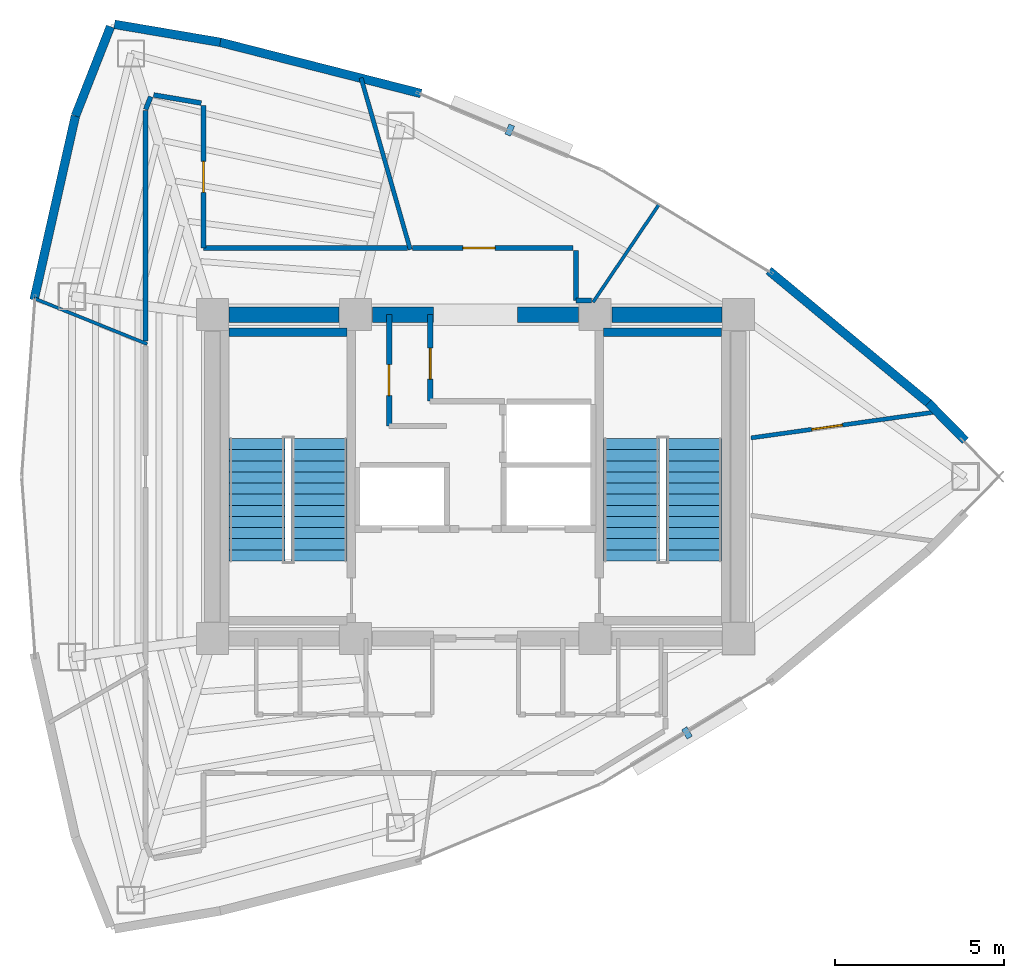
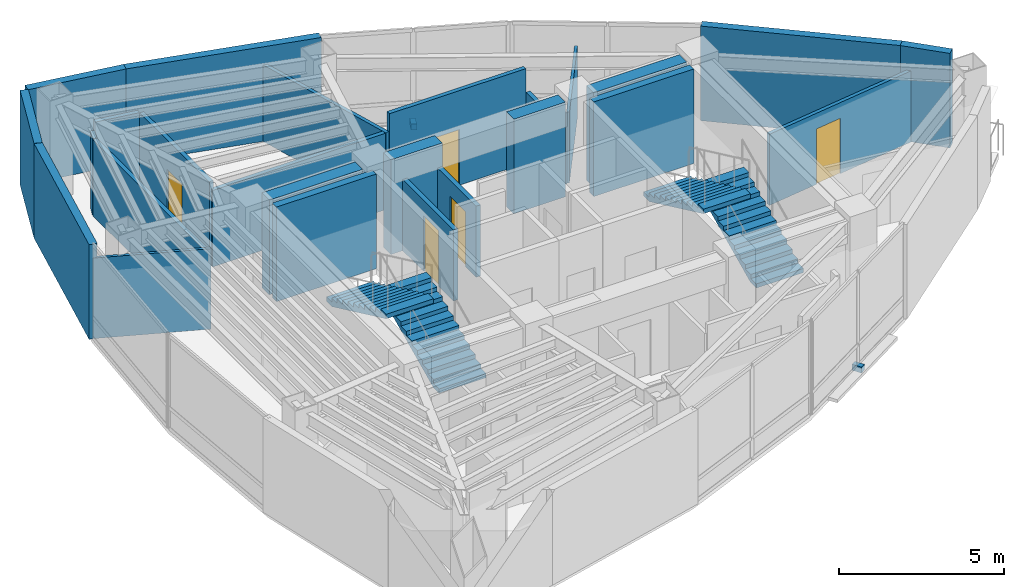
# One storey, part 13 of 15: 26 walls, 5 doors, 4 stair flights, 2 discrete accessories, 5 openings, 2 elements without a shape of their own.
"""IFC4 building model written with IfcOpenShell, lengths in metres."""

from ifc_helpers import new_model, si_unit, direction, frame, frame_2d, origin, origin_2d, place, context, subcontext, project, spatial, polyline, rectangle, outline, extrude, material, layer, layer_set, type_object, element, fill, aggregate, save


model = new_model("IFC4")

# Units and contexts
model_context = context("Model", 3, precision=1e-05, world=origin(), true_north=direction((0.0, 1.0)))
body_context = subcontext(model_context, "Body", "Model", "MODEL_VIEW")
ifc_project = project(units=[si_unit("LENGTHUNIT", "METRE"), si_unit("AREAUNIT", "SQUARE_METRE"), si_unit("VOLUMEUNIT", "CUBIC_METRE"), si_unit("PLANEANGLEUNIT", "RADIAN"), si_unit("MASSUNIT", "GRAM", prefix="KILO")], contexts=[model_context])

# Site, building, storey
site_placement = place(None, origin())
site = spatial("IfcSite", under=ifc_project, at=site_placement, CompositionType="ELEMENT")
building_placement = place(site_placement, origin())
building = spatial("IfcBuilding", under=site, at=building_placement, Name="Menara Vayukalpa", CompositionType="ELEMENT")
storey_placement = place(building_placement, frame((0.0, 0.0, 284.340087890625)))
storey = spatial("IfcBuildingStorey", under=building, at=storey_placement, Name="L72", CompositionType="ELEMENT", Elevation=284.340087890625)

# Walls
ifc_material_1 = material(Name="Concrete C50/60", Category="concrete")
ifc_layer_1 = layer(ifc_material_1, 0.449951171875)
ifc_layer_set_1 = layer_set([ifc_layer_1], Name="Concrete C50/60")
wall_type_1 = type_object("IfcWallType", Name="WAL-CW450", PredefinedType="SHEAR", material=ifc_layer_set_1)
wall_1_placement = place(storey_placement, frame((18.294921875, 26.800048828125, 0.0), z_axis=(0.0, 0.0, 1.0), x_axis=(1.0, 0.0, 0.0)))
element("IfcWall", 1, at=wall_1_placement, inside=storey, type_object=wall_type_1, Name="L72 Buttressed Core Shear Wall CWN1", PredefinedType="SHEAR", context=body_context, shape_type="SweptSolid", body=[
    extrude(rectangle(XDim=3.260009765625, YDim=0.449951171875, at=frame_2d((1.6298828125, 0.0))), origin(), (0.0, 0.0, 1.0), 3.5),
])
wall_2_placement = place(storey_placement, frame((22.544921875, 26.800048828125, 0.0), z_axis=(0.0, 0.0, 1.0), x_axis=(1.0, 0.0, 0.0)))
element("IfcWall", 2, at=wall_2_placement, inside=storey, type_object=wall_type_1, Name="L72 Buttressed Core Shear Wall CWN2", PredefinedType="SHEAR", context=body_context, shape_type="SweptSolid", body=[
    extrude(rectangle(XDim=1.80517578125, YDim=0.449951171875, at=frame_2d((0.902587890625, 0.0))), origin(), (0.0, 0.0, 1.0), 3.5),
])
wall_3_placement = place(storey_placement, frame((26.85009765625, 26.800048828125, 0.0), z_axis=(0.0, 0.0, 1.0), x_axis=(1.0, 0.0, 0.0)))
element("IfcWall", 3, at=wall_3_placement, inside=storey, type_object=wall_type_1, Name="L72 Buttressed Core Shear Wall CWN3", PredefinedType="SHEAR", context=body_context, shape_type="SweptSolid", body=[
    extrude(rectangle(XDim=1.804931640625, YDim=0.449951171875, at=frame_2d((0.90234375, 0.0))), origin(), (0.0, 0.0, 1.0), 3.5),
])
wall_4_placement = place(storey_placement, frame((29.64501953125, 26.800048828125, 0.0), z_axis=(0.0, 0.0, 1.0), x_axis=(1.0, 0.0, 0.0)))
element("IfcWall", 4, at=wall_4_placement, inside=storey, type_object=wall_type_1, Name="L72 Buttressed Core Shear Wall CWN4", PredefinedType="SHEAR", context=body_context, shape_type="SweptSolid", body=[
    extrude(rectangle(XDim=3.260009765625, YDim=0.449951171875, at=frame_2d((1.6298828125, 0.0))), origin(), (0.0, 0.0, 1.0), 3.5),
])
ifc_material_2 = material(Name="Insulated Precast Concrete C40/50", Category="concrete")
ifc_layer_2 = layer(ifc_material_2, 0.260009765625)
ifc_layer_set_2 = layer_set([ifc_layer_2], Name="Insulated Precast Concrete C40/50")
wall_type_2 = type_object("IfcWallType", Name="WAL-EXT260", PredefinedType="PARTITIONING", material=ifc_layer_set_2)
wall_5_placement = place(storey_placement, frame((39.023681640625, 24.188232421875, 0.0), z_axis=(0.0, 0.0, 1.0), x_axis=(0.700470648387, -0.71368121087, 0.0)))
element("IfcWall", 5, at=wall_5_placement, inside=storey, type_object=wall_type_2, Name="L72 Perimeter Terracotta Pier Wall 02", PredefinedType="PARTITIONING", context=body_context, shape_type="SweptSolid", body=[
    extrude(rectangle(XDim=1.57080078125, YDim=0.260009765625, at=frame_2d((0.785400390625, 0.0))), origin(), (0.0, 0.0, 1.0), 3.5),
])
wall_6_placement = place(storey_placement, frame((34.295166015625, 28.1083984375, 0.0), z_axis=(0.0, 0.0, 1.0), x_axis=(0.769779830138, -0.638309496337, 0.0)))
element("IfcWall", 6, at=wall_6_placement, inside=storey, type_object=wall_type_2, Name="L72 Perimeter Terracotta Pier Wall 03", PredefinedType="PARTITIONING", context=body_context, shape_type="SweptSolid", body=[
    extrude(rectangle(XDim=6.154052734375, YDim=0.260009765625, at=frame_2d((3.0771484375, 0.0))), origin(), (0.0, 0.0, 1.0), 3.5),
])
wall_7_placement = place(storey_placement, frame((18.0244140625, 34.878662109375, 0.0), z_axis=(0.0, 0.0, 1.0), x_axis=(0.968988278672, -0.247106689096, 0.0)))
element("IfcWall", 7, at=wall_7_placement, inside=storey, type_object=wall_type_2, Name="L72 Perimeter Terracotta Pier Wall 06", PredefinedType="PARTITIONING", context=body_context, shape_type="SweptSolid", body=[
    extrude(rectangle(XDim=6.154296875, YDim=0.260009765625, at=frame_2d((3.0771484375, 0.0))), origin(), (0.0, 0.0, 1.0), 3.5),
])
wall_8_placement = place(storey_placement, frame((14.900146484375, 35.40869140625, 0.0), z_axis=(0.0, 0.0, 1.0), x_axis=(0.985889432766, -0.167397808709, 0.0)))
element("IfcWall", 8, at=wall_8_placement, inside=storey, type_object=wall_type_2, Name="L72 Perimeter Terracotta Pier Wall 07", PredefinedType="PARTITIONING", context=body_context, shape_type="SweptSolid", body=[
    extrude(rectangle(XDim=3.180908203125, YDim=0.260009765625, at=frame_2d((1.59033203125, 0.0))), origin(), (0.0, 0.0, 1.0), 3.5),
])
wall_9_placement = place(storey_placement, frame((13.741943359375, 32.693359375, 0.0), z_axis=(0.0, 0.0, 1.0), x_axis=(0.36559927932, 0.930772349697, 0.0)))
element("IfcWall", 9, at=wall_9_placement, inside=storey, type_object=wall_type_2, Name="L72 Perimeter Terracotta Pier Wall 08", PredefinedType="PARTITIONING", context=body_context, shape_type="SweptSolid", body=[
    extrude(rectangle(XDim=2.845458984375, YDim=0.260009765625, at=frame_2d((1.4228515625, 0.0))), origin(), (0.0, 0.0, 1.0), 3.5),
])
wall_10_placement = place(storey_placement, frame((12.514892578125, 27.239501953125, 0.0), z_axis=(0.0, 0.0, 1.0), x_axis=(0.219500763731, 0.97561232809, 0.0)))
element("IfcWall", 10, at=wall_10_placement, inside=storey, type_object=wall_type_2, Name="L72 Perimeter Terracotta Pier Wall 09", PredefinedType="PARTITIONING", context=body_context, shape_type="SweptSolid", body=[
    extrude(rectangle(XDim=5.590087890625, YDim=0.260009765625, at=frame_2d((2.794921875, 0.0))), origin(), (0.0, 0.0, 1.0), 3.5),
])

# Wall, opening, door
ifc_material_3 = material(Name="Lightweight Concrete Blockwork C16/20", Category="masonry")
ifc_layer_3 = layer(ifc_material_3, 0.159912109375)
ifc_layer_set_3 = layer_set([ifc_layer_3], Name="Lightweight Concrete Blockwork C16/20")
wall_type_3 = type_object("IfcWallType", Name="WAL-FR150", PredefinedType="PARTITIONING", material=ifc_layer_set_3)
wall_11_placement = place(storey_placement, frame((23.0400390625, 23.5, 0.0), z_axis=(0.0, 0.0, 1.0), x_axis=(0.0, 1.0, 0.0)))
wall_11 = element("IfcWall", 11, at=wall_11_placement, inside=storey, type_object=wall_type_3, Name="L72 Interior Partition IW-L72-LV7WB", PredefinedType="PARTITIONING", context=body_context, shape_type="SweptSolid", body=[
    extrude(rectangle(XDim=3.300048828125, YDim=0.159912109375, at=frame_2d((1.64990234375, 0.0))), origin(), (0.0, 0.0, 1.0), 2.6298828125),
])
opening_1_placement = place(wall_11_placement, frame((0.89990234375, 0.0, 0.0)))
opening_1 = element("IfcOpeningElement", 12, at=opening_1_placement, cuts=wall_11, Name="Opening ID6", PredefinedType="OPENING", context=body_context, shape_type="SweptSolid", body=[
    extrude(rectangle(XDim=0.919921875, YDim=2.050048828125, at=frame_2d((0.4599609375, 1.02490234375))), frame((0.0, 0.08984375, 0.0), z_axis=(0.0, -1.0, 0.0), x_axis=(1.0, 0.0, 0.0)), (0.0, 0.0, 1.0), 0.179931640625),
])
ifc_material_4 = material(Name="Acoustic Hardwood Veneer Timber Door", Category="wood")
door_type_1 = type_object("IfcDoorType", Name="DR-INT92", OperationType="NOTDEFINED", PredefinedType="DOOR", material=ifc_material_4)
door_1_placement = place(opening_1_placement, origin())
door_1 = element("IfcDoor", 13, at=door_1_placement, inside=storey, type_object=door_type_1, Name="L72 Interior Door DR-L72-LV7W", OperationType="SINGLE_SWING_RIGHT", OverallHeight=2.050048828125, OverallWidth=0.919921875, PredefinedType="DOOR", context=body_context, shape_type="SweptSolid", body=[
    extrude(rectangle(XDim=0.919921875, YDim=2.050048828125, at=frame_2d((0.4599609375, 1.02490234375))), frame((0.0, 0.02490234375, 0.0), z_axis=(0.0, -1.0, 0.0), x_axis=(1.0, 0.0, 0.0)), (0.0, 0.0, 1.0), 0.050048828125),
])
fill(opening_1, door_1)

wall_12_placement = place(storey_placement, frame((24.260009765625, 24.239990234375, 0.0), z_axis=(0.0, 0.0, 1.0), x_axis=(0.0, 1.0, 0.0)))
wall_12 = element("IfcWall", 14, at=wall_12_placement, inside=storey, type_object=wall_type_3, Name="L72 Interior Partition IW-L72-LV7EB", PredefinedType="PARTITIONING", context=body_context, shape_type="SweptSolid", body=[
    extrude(rectangle(XDim=2.56005859375, YDim=0.159912109375, at=frame_2d((1.280029296875, 0.0))), origin(), (0.0, 0.0, 1.0), 2.6298828125),
])
opening_2_placement = place(wall_12_placement, frame((0.64990234375, 0.0, 0.0)))
opening_2 = element("IfcOpeningElement", 15, at=opening_2_placement, cuts=wall_12, Name="Opening ID6", PredefinedType="OPENING", context=body_context, shape_type="SweptSolid", body=[
    extrude(rectangle(XDim=0.919921875, YDim=2.050048828125, at=frame_2d((0.4599609375, 1.02490234375))), frame((0.0, 0.08984375, 0.0), z_axis=(0.0, -1.0, 0.0), x_axis=(1.0, 0.0, 0.0)), (0.0, 0.0, 1.0), 0.179931640625),
])
door_2_placement = place(opening_2_placement, origin())
door_2 = element("IfcDoor", 16, at=door_2_placement, inside=storey, type_object=door_type_1, Name="L72 Interior Door DR-L72-LV7E", OperationType="SINGLE_SWING_LEFT", OverallHeight=2.050048828125, OverallWidth=0.919921875, PredefinedType="DOOR", context=body_context, shape_type="SweptSolid", body=[
    extrude(rectangle(XDim=0.919921875, YDim=2.050048828125, at=frame_2d((0.4599609375, 1.02490234375))), frame((0.0, 0.02490234375, 0.0), z_axis=(0.0, -1.0, 0.0), x_axis=(1.0, 0.0, 0.0)), (0.0, 0.0, 1.0), 0.050048828125),
])
fill(opening_2, door_2)

# Walls
ifc_material_5 = material(Name="Glazed Demountable Office Partition", Category="glass")
ifc_layer_4 = layer(ifc_material_5, 0.094970703125)
ifc_layer_set_4 = layer_set([ifc_layer_4], Name="Glazed Demountable Office Partition")
wall_type_4 = type_object("IfcWallType", Name="WAL-PT100", PredefinedType="PARTITIONING", material=ifc_layer_set_4)
wall_13_placement = place(storey_placement, frame((29.087158203125, 27.169921875, 0.0), z_axis=(0.0, 0.0, 1.0), x_axis=(0.559194012427, 0.829036824554, 0.0)))
element("IfcWall", 17, at=wall_13_placement, inside=storey, type_object=wall_type_4, Name="L72 Interior Partition IW-L72-RDIV02", PredefinedType="PARTITIONING", context=body_context, shape_type="SweptSolid", body=[
    extrude(rectangle(XDim=3.504150390625, YDim=0.094970703125, at=frame_2d((1.751953125, 0.0))), origin(), (0.0, 0.0, 1.0), 2.6298828125),
])
wall_14_placement = place(storey_placement, frame((15.8701171875, 25.93115234375, 0.0), z_axis=(0.0, 0.0, 1.0), x_axis=(-0.92718807063, 0.374596158123, 0.0)))
element("IfcWall", 18, at=wall_14_placement, inside=storey, type_object=wall_type_4, Name="L72 Interior Partition IW-L72-RDIV04", PredefinedType="PARTITIONING", context=body_context, shape_type="SweptSolid", body=[
    extrude(rectangle(XDim=3.608642578125, YDim=0.094970703125, at=frame_2d((1.80419921875, 0.0))), origin(), (0.0, 0.0, 1.0), 2.97998046875),
])

# Wall, opening, door
ifc_material_6 = material(Name="Gypsum Drywall Steel Stud Assembly", Category="steel")
ifc_layer_5 = layer(ifc_material_6, 0.125)
ifc_layer_set_5 = layer_set([ifc_layer_5], Name="Gypsum Drywall Steel Stud Assembly")
wall_type_5 = type_object("IfcWallType", Name="WAL-PT125", PredefinedType="PARTITIONING", material=ifc_layer_set_5)
wall_15_placement = place(storey_placement, frame((33.77001953125, 23.148193359375, 0.0), z_axis=(0.0, 0.0, 1.0), x_axis=(0.990268923666, 0.139167017724, 0.0)))
wall_15 = element("IfcWall", 19, at=wall_15_placement, inside=storey, type_object=wall_type_5, Name="L72 Interior Partition IW-L72-RDIV01", PredefinedType="PARTITIONING", context=body_context, shape_type="SweptSolid", body=[
    extrude(rectangle(XDim=5.580322265625, YDim=0.125, at=frame_2d((2.7900390625, 0.0))), origin(), (0.0, 0.0, 1.0), 2.6298828125),
])
opening_3_placement = place(wall_15_placement, frame((1.817626953125, 0.0, 0.0)))
opening_3 = element("IfcOpeningElement", 20, at=opening_3_placement, cuts=wall_15, Name="Opening ID6", PredefinedType="OPENING", context=body_context, shape_type="SweptSolid", body=[
    extrude(rectangle(XDim=0.919921875, YDim=2.050048828125, at=frame_2d((0.4599609375, 1.02490234375))), frame((0.0, 0.072509765625, 0.0), z_axis=(0.0, -1.0, 0.0), x_axis=(1.0, 0.0, 0.0)), (0.0, 0.0, 1.0), 0.14501953125),
])
door_3_placement = place(opening_3_placement, origin())
door_3 = element("IfcDoor", 21, at=door_3_placement, inside=storey, type_object=door_type_1, Name="L72 Interior Door DR-L72-STE06", OperationType="SINGLE_SWING_LEFT", OverallHeight=2.050048828125, OverallWidth=0.919921875, PredefinedType="DOOR", context=body_context, shape_type="SweptSolid", body=[
    extrude(rectangle(XDim=0.919921875, YDim=2.050048828125, at=frame_2d((0.4599609375, 1.02490234375))), frame((0.0, 0.02490234375, 0.0), z_axis=(0.0, -1.0, 0.0), x_axis=(1.0, 0.0, 0.0)), (0.0, 0.0, 1.0), 0.050048828125),
])
fill(opening_3, door_3)

# Walls
wall_16_placement = place(storey_placement, frame((23.670166015625, 28.72998046875, 0.0), z_axis=(0.0, 0.0, 1.0), x_axis=(-0.275646373744, 0.961259110044, 0.0)))
element("IfcWall", 22, at=wall_16_placement, inside=storey, type_object=wall_type_5, Name="L72 Interior Partition IW-L72-RDIV03", PredefinedType="PARTITIONING", context=body_context, shape_type="SweptSolid", body=[
    extrude(rectangle(XDim=5.29638671875, YDim=0.125, at=frame_2d((2.648193359375, 0.0))), origin(), (0.0, 0.0, 1.0), 2.829833984375),
])
ifc_material_7 = material(Name="Gypsum Drywall Acoustic Stud Assembly", Category="masonry")
ifc_layer_6 = layer(ifc_material_7, 0.14501953125)
ifc_layer_set_6 = layer_set([ifc_layer_6], Name="Gypsum Drywall Acoustic Stud Assembly")
wall_type_6 = type_object("IfcWallType", Name="WAL-PT150", PredefinedType="PARTITIONING", material=ifc_layer_set_6)
wall_17_placement = place(storey_placement, frame((29.03662109375, 27.219970703125, 0.0), z_axis=(0.0, 0.0, 1.0), x_axis=(-1.0, 0.0, 0.0)))
element("IfcWall", 23, at=wall_17_placement, inside=storey, type_object=wall_type_6, Name="L72 Interior Partition IW-L72-CRM07-1", PredefinedType="PARTITIONING", context=body_context, shape_type="SweptSolid", body=[
    extrude(rectangle(XDim=0.45654296875, YDim=0.14501953125, at=frame_2d((0.228271484375, 0.0))), origin(), (0.0, 0.0, 1.0), 2.6298828125),
])
wall_18_placement = place(storey_placement, frame((28.580078125, 27.219970703125, 0.0), z_axis=(0.0, 0.0, 1.0), x_axis=(0.0, 1.0, 0.0)))
element("IfcWall", 24, at=wall_18_placement, inside=storey, type_object=wall_type_6, Name="L72 Interior Partition IW-L72-CRM07-2", PredefinedType="PARTITIONING", context=body_context, shape_type="SweptSolid", body=[
    extrude(rectangle(XDim=1.47998046875, YDim=0.14501953125, at=frame_2d((0.739990234375, 0.0))), origin(), (0.0, 0.0, 1.0), 2.6298828125),
])

# Wall, opening, door
wall_19_placement = place(storey_placement, frame((28.5, 28.780029296875, 0.0), z_axis=(0.0, 0.0, 1.0), x_axis=(-1.0, 0.0, 0.0)))
wall_19 = element("IfcWall", 25, at=wall_19_placement, inside=storey, type_object=wall_type_6, Name="L72 Interior Partition IW-L72-CRM07-3", PredefinedType="PARTITIONING", context=body_context, shape_type="SweptSolid", body=[
    extrude(rectangle(XDim=4.771240234375, YDim=0.14501953125, at=frame_2d((2.3857421875, 0.0))), origin(), (0.0, 0.0, 1.0), 3.5),
])
opening_4_placement = place(wall_19_placement, frame((2.318359375, 0.0, 0.0)))
opening_4 = element("IfcOpeningElement", 26, at=opening_4_placement, cuts=wall_19, Name="Opening ID5", PredefinedType="OPENING", context=body_context, shape_type="SweptSolid", body=[
    extrude(rectangle(XDim=0.949951171875, YDim=2.06005859375, at=frame_2d((0.47509765625, 1.030029296875))), frame((0.0, 0.08251953125, 0.0), z_axis=(0.0, -1.0, 0.0), x_axis=(1.0, 0.0, 0.0)), (0.0, 0.0, 1.0), 0.1650390625),
])
ifc_material_8 = material(Name="Acoustic Hardwood Veneer Timber Door", Category="wood")
door_type_2 = type_object("IfcDoorType", Name="DR-INT95", OperationType="NOTDEFINED", PredefinedType="DOOR", material=ifc_material_8)
door_4_placement = place(opening_4_placement, origin())
door_4 = element("IfcDoor", 27, at=door_4_placement, inside=storey, type_object=door_type_2, Name="L72 Interior Door DR-L72-RM07", OperationType="SINGLE_SWING_LEFT", OverallHeight=2.06005859375, OverallWidth=0.949951171875, PredefinedType="DOOR", context=body_context, shape_type="SweptSolid", body=[
    extrude(rectangle(XDim=0.949951171875, YDim=2.06005859375, at=frame_2d((0.47509765625, 1.030029296875))), frame((0.0, 0.02490234375, 0.0), z_axis=(0.0, -1.0, 0.0), x_axis=(1.0, 0.0, 0.0)), (0.0, 0.0, 1.0), 0.050048828125),
])
fill(opening_4, door_4)

# Wall
wall_20_placement = place(storey_placement, frame((23.5830078125, 28.780029296875, 0.0), z_axis=(0.0, 0.0, 1.0), x_axis=(-1.0, 0.0, 0.0)))
element("IfcWall", 28, at=wall_20_placement, inside=storey, type_object=wall_type_6, Name="L72 Interior Partition IW-L72-CRM08-1", PredefinedType="PARTITIONING", context=body_context, shape_type="SweptSolid", body=[
    extrude(rectangle(XDim=6.04296875, YDim=0.14501953125, at=frame_2d((3.021484375, 0.0))), origin(), (0.0, 0.0, 1.0), 2.829833984375),
])

# Wall, opening, door
wall_21_placement = place(storey_placement, frame((17.5400390625, 28.780029296875, 0.0), z_axis=(0.0, 0.0, 1.0), x_axis=(0.0, 1.0, 0.0)))
wall_21 = element("IfcWall", 29, at=wall_21_placement, inside=storey, type_object=wall_type_6, Name="L72 Interior Partition IW-L72-CRM08-2", PredefinedType="PARTITIONING", context=body_context, shape_type="SweptSolid", body=[
    extrude(rectangle(XDim=4.216064453125, YDim=0.14501953125, at=frame_2d((2.10791015625, 0.0))), origin(), (0.0, 0.0, 1.0), 3.1298828125),
])
opening_5_placement = place(wall_21_placement, frame((1.64794921875, 0.0, 0.0)))
opening_5 = element("IfcOpeningElement", 30, at=opening_5_placement, cuts=wall_21, Name="Opening ID6", PredefinedType="OPENING", context=body_context, shape_type="SweptSolid", body=[
    extrude(rectangle(XDim=0.919921875, YDim=2.050048828125, at=frame_2d((0.4599609375, 1.02490234375))), frame((0.0, 0.08251953125, 0.0), z_axis=(0.0, -1.0, 0.0), x_axis=(1.0, 0.0, 0.0)), (0.0, 0.0, 1.0), 0.1650390625),
])
door_5_placement = place(opening_5_placement, origin())
door_5 = element("IfcDoor", 31, at=door_5_placement, inside=storey, type_object=door_type_1, Name="L72 Interior Door DR-L72-RM08", OperationType="SINGLE_SWING_RIGHT", OverallHeight=2.050048828125, OverallWidth=0.919921875, PredefinedType="DOOR", context=body_context, shape_type="SweptSolid", body=[
    extrude(rectangle(XDim=0.919921875, YDim=2.050048828125, at=frame_2d((0.4599609375, 1.02490234375))), frame((0.0, 0.02490234375, 0.0), z_axis=(0.0, -1.0, 0.0), x_axis=(1.0, 0.0, 0.0)), (0.0, 0.0, 1.0), 0.050048828125),
])
fill(opening_5, door_5)

# Walls
wall_22_placement = place(storey_placement, frame((17.473388671875, 33.074951171875, 0.0), z_axis=(0.0, 0.0, 1.0), x_axis=(-0.985881780308, 0.167442871621, 0.0)))
element("IfcWall", 32, at=wall_22_placement, inside=storey, type_object=wall_type_6, Name="L72 Interior Partition IW-L72-CRM08-3", PredefinedType="PARTITIONING", context=body_context, shape_type="SweptSolid", body=[
    extrude(rectangle(XDim=1.430419921875, YDim=0.14501953125, at=frame_2d((0.71533203125, 0.0))), origin(), (0.0, 0.0, 1.0), 3.1298828125),
])
wall_23_placement = place(storey_placement, frame((15.975341796875, 33.2646484375, 0.0), z_axis=(0.0, 0.0, 1.0), x_axis=(-0.365633948196, -0.930758731319, 0.0)))
element("IfcWall", 33, at=wall_23_placement, inside=storey, type_object=wall_type_6, Name="L72 Interior Partition IW-L72-CRM08-4", PredefinedType="PARTITIONING", context=body_context, shape_type="SweptSolid", body=[
    extrude(rectangle(XDim=0.409912109375, YDim=0.14501953125, at=frame_2d((0.205078125, 0.0))), origin(), (0.0, 0.0, 1.0), 2.829833984375),
])
wall_24_placement = place(storey_placement, frame((15.820068359375, 32.853759765625, 0.0), z_axis=(0.0, 0.0, 1.0), x_axis=(0.0, -1.0, 0.0)))
element("IfcWall", 34, at=wall_24_placement, inside=storey, type_object=wall_type_6, Name="L72 Interior Partition IW-L72-CRM08-5", PredefinedType="PARTITIONING", context=body_context, shape_type="SweptSolid", body=[
    extrude(rectangle(XDim=6.826904296875, YDim=0.14501953125, at=frame_2d((3.41357421875, 0.0))), origin(), (0.0, 0.0, 1.0), 2.829833984375),
])
ifc_material_9 = material(Name="Concrete C50/60", Category="concrete")
ifc_layer_7 = layer(ifc_material_9, 0.25)
ifc_layer_set_7 = layer_set([ifc_layer_7], Name="Concrete C50/60")
wall_type_7 = type_object("IfcWallType", Name="WAL-SW250", PredefinedType="SHEAR", material=ifc_layer_set_7)
for number, where, z_axis, x_axis, name in (
    (35, (18.300048828125, 26.27490234375, 0.0), (0.0, 0.0, 1.0), (1.0, 0.0, 0.0), "L72 ST1 Structural Stair Shaft Wall N"),
    (36, (29.39990234375, 26.27490234375, 0.0), (0.0, 0.0, 1.0), (1.0, 0.0, 0.0), "L72 ST2 Structural Stair Shaft Wall N"),
):
    element("IfcWall", number, at=place(storey_placement, frame(where, z_axis=z_axis, x_axis=x_axis)), inside=storey, type_object=wall_type_7, Name=name, PredefinedType="SHEAR", context=body_context, shape_type="SweptSolid", body=[
        extrude(rectangle(XDim=3.5, YDim=0.25, at=frame_2d((1.75, 0.0))), origin(), (0.0, 0.0, 1.0), 3.5),
    ])

# Stair, stair flights
ifc_material_10 = material(Name="Precast Concrete C40/50", Category="concrete")
stair_type = type_object("IfcStairType", Name="STR-T04", PredefinedType="DOUBLE_RETURN_STAIR", material=ifc_material_10)
stair_1_placement = place(storey_placement, origin())
stair_1 = element("IfcStair", 37, at=stair_1_placement, inside=storey, type_object=stair_type, Name="L72 Core Exit Stair ST-1", PredefinedType="DOUBLE_RETURN_STAIR")
ifc_material_11 = material(Name="Precast Concrete C40/50", Category="concrete")
stair_flight_type = type_object("IfcStairFlightType", Name="STF-T04", PredefinedType="STRAIGHT", material=ifc_material_11)
stair_flight_1_placement = place(storey_placement, frame((20.97509765625, 19.5, 0.0), z_axis=(0.0, 0.0, 1.0), x_axis=(0.0, 1.0, 0.0)))
stair_flight_1 = element("IfcStairFlight", 38, at=stair_flight_1_placement, type_object=stair_flight_type, Name="ST-1 flight 1", NumberOfRisers=12, NumberOfTreads=11, PredefinedType="STRAIGHT", RiserHeight=0.155, TreadLength=0.33, context=body_context, shape_type="SweptSolid", body=[
    extrude(outline(polyline([(0.0, 0.0), (0.0, 0.155029296875), (0.330078125, 0.155029296875), (0.330078125, 0.31005859375), (0.659912109375, 0.31005859375), (0.659912109375, 0.465087890625), (0.989990234375, 0.465087890625), (0.989990234375, 0.6201171875), (1.320068359375, 0.6201171875), (1.320068359375, 0.77490234375), (1.64990234375, 0.77490234375), (1.64990234375, 0.929931640625), (1.97998046875, 0.929931640625), (1.97998046875, 1.0849609375), (2.31005859375, 1.0849609375), (2.31005859375, 1.239990234375), (2.639892578125, 1.239990234375), (2.639892578125, 1.39501953125), (2.969970703125, 1.39501953125), (2.969970703125, 1.550048828125), (3.300048828125, 1.550048828125), (3.300048828125, 1.705078125), (3.6298828125, 1.705078125), (3.6298828125, 1.860107421875), (3.6298828125, 1.539306640625), (0.3525390625, 0.0), (0.0, 0.0)])), frame((0.0, 0.824951171875, 0.0), z_axis=(0.0, -1.0, 0.0), x_axis=(1.0, 0.0, 0.0)), (0.0, 0.0, 1.0), 1.64990234375),
])
stair_flight_2_placement = place(storey_placement, frame((19.125, 23.1298828125, 1.85986328125), z_axis=(0.0, 0.0, 1.0), x_axis=(0.0, -1.0, 0.0)))
stair_flight_2 = element("IfcStairFlight", 39, at=stair_flight_2_placement, type_object=stair_flight_type, Name="ST-1 flight 2", NumberOfRisers=12, NumberOfTreads=11, PredefinedType="STRAIGHT", RiserHeight=0.155, TreadLength=0.33, context=body_context, shape_type="SweptSolid", body=[
    extrude(outline(polyline([(0.0, 0.0), (0.0, 0.155029296875), (0.330078125, 0.155029296875), (0.330078125, 0.31005859375), (0.659912109375, 0.31005859375), (0.659912109375, 0.465087890625), (0.989990234375, 0.465087890625), (0.989990234375, 0.6201171875), (1.320068359375, 0.6201171875), (1.320068359375, 0.77490234375), (1.64990234375, 0.77490234375), (1.64990234375, 0.929931640625), (1.97998046875, 0.929931640625), (1.97998046875, 1.0849609375), (2.31005859375, 1.0849609375), (2.31005859375, 1.239990234375), (2.639892578125, 1.239990234375), (2.639892578125, 1.39501953125), (2.969970703125, 1.39501953125), (2.969970703125, 1.550048828125), (3.300048828125, 1.550048828125), (3.300048828125, 1.705078125), (3.6298828125, 1.705078125), (3.6298828125, 1.860107421875), (3.6298828125, 1.539306640625), (0.3525390625, 0.0), (0.0, 0.0)])), frame((0.0, 0.824951171875, 0.0), z_axis=(0.0, -1.0, 0.0), x_axis=(1.0, 0.0, 0.0)), (0.0, 0.0, 1.0), 1.64990234375),
])
aggregate(stair_1, [stair_flight_1, stair_flight_2])

stair_2_placement = place(storey_placement, origin())
stair_2 = element("IfcStair", 40, at=stair_2_placement, inside=storey, type_object=stair_type, Name="L72 Core Exit Stair ST-2", PredefinedType="DOUBLE_RETURN_STAIR")
stair_flight_3_placement = place(storey_placement, frame((32.074951171875, 19.5, 0.0), z_axis=(0.0, 0.0, 1.0), x_axis=(0.0, 1.0, 0.0)))
stair_flight_3 = element("IfcStairFlight", 41, at=stair_flight_3_placement, type_object=stair_flight_type, Name="ST-2 flight 1", NumberOfRisers=12, NumberOfTreads=11, PredefinedType="STRAIGHT", RiserHeight=0.155, TreadLength=0.33, context=body_context, shape_type="SweptSolid", body=[
    extrude(outline(polyline([(0.0, 0.0), (0.0, 0.155029296875), (0.330078125, 0.155029296875), (0.330078125, 0.31005859375), (0.659912109375, 0.31005859375), (0.659912109375, 0.465087890625), (0.989990234375, 0.465087890625), (0.989990234375, 0.6201171875), (1.320068359375, 0.6201171875), (1.320068359375, 0.77490234375), (1.64990234375, 0.77490234375), (1.64990234375, 0.929931640625), (1.97998046875, 0.929931640625), (1.97998046875, 1.0849609375), (2.31005859375, 1.0849609375), (2.31005859375, 1.239990234375), (2.639892578125, 1.239990234375), (2.639892578125, 1.39501953125), (2.969970703125, 1.39501953125), (2.969970703125, 1.550048828125), (3.300048828125, 1.550048828125), (3.300048828125, 1.705078125), (3.6298828125, 1.705078125), (3.6298828125, 1.860107421875), (3.6298828125, 1.539306640625), (0.3525390625, 0.0), (0.0, 0.0)])), frame((0.0, 0.824951171875, 0.0), z_axis=(0.0, -1.0, 0.0), x_axis=(1.0, 0.0, 0.0)), (0.0, 0.0, 1.0), 1.64990234375),
])
stair_flight_4_placement = place(storey_placement, frame((30.22509765625, 23.1298828125, 1.85986328125), z_axis=(0.0, 0.0, 1.0), x_axis=(0.0, -1.0, 0.0)))
stair_flight_4 = element("IfcStairFlight", 42, at=stair_flight_4_placement, type_object=stair_flight_type, Name="ST-2 flight 2", NumberOfRisers=12, NumberOfTreads=11, PredefinedType="STRAIGHT", RiserHeight=0.155, TreadLength=0.33, context=body_context, shape_type="SweptSolid", body=[
    extrude(outline(polyline([(0.0, 0.0), (0.0, 0.155029296875), (0.330078125, 0.155029296875), (0.330078125, 0.31005859375), (0.659912109375, 0.31005859375), (0.659912109375, 0.465087890625), (0.989990234375, 0.465087890625), (0.989990234375, 0.6201171875), (1.320068359375, 0.6201171875), (1.320068359375, 0.77490234375), (1.64990234375, 0.77490234375), (1.64990234375, 0.929931640625), (1.97998046875, 0.929931640625), (1.97998046875, 1.0849609375), (2.31005859375, 1.0849609375), (2.31005859375, 1.239990234375), (2.639892578125, 1.239990234375), (2.639892578125, 1.39501953125), (2.969970703125, 1.39501953125), (2.969970703125, 1.550048828125), (3.300048828125, 1.550048828125), (3.300048828125, 1.705078125), (3.6298828125, 1.705078125), (3.6298828125, 1.860107421875), (3.6298828125, 1.539306640625), (0.3525390625, 0.0), (0.0, 0.0)])), frame((0.0, 0.824951171875, 0.0), z_axis=(0.0, -1.0, 0.0), x_axis=(1.0, 0.0, 0.0)), (0.0, 0.0, 1.0), 1.64990234375),
])
aggregate(stair_2, [stair_flight_3, stair_flight_4])

# Discrete accessories
ifc_material_12 = material(Name="Stainless Steel 316 Sunshade Bracket", Category="steel")
discrete_accessory_type = type_object("IfcDiscreteAccessoryType", Name="ACC-BRK1", PredefinedType="BRACKET", material=ifc_material_12)
for number, where, z_axis, x_axis, name in (
    (43, (26.61767578125, 32.272705078125, -0.16015625), (0.0, 0.0, 1.0), (-0.922538089456, 0.385906042324, 0.0), "L72 Terracotta Sunshade Bracket 05"),
    (44, (31.87109375, 14.402587890625, -0.16015625), (0.0, 0.0, 1.0), (0.85466730962, 0.519176068272, 0.0), "L72 Terracotta Sunshade Bracket 17"),
):
    element("IfcDiscreteAccessory", number, at=place(storey_placement, frame(where, z_axis=z_axis, x_axis=x_axis)), inside=storey, type_object=discrete_accessory_type, Name=name, PredefinedType="BRACKET", context=body_context, shape_type="SweptSolid", body=[
        extrude(rectangle(XDim=0.179931640625, YDim=0.320068359375, at=origin_2d()), origin(), (0.0, 0.0, 1.0), 0.219970703125),
    ])

save(model, "model.ifc")
